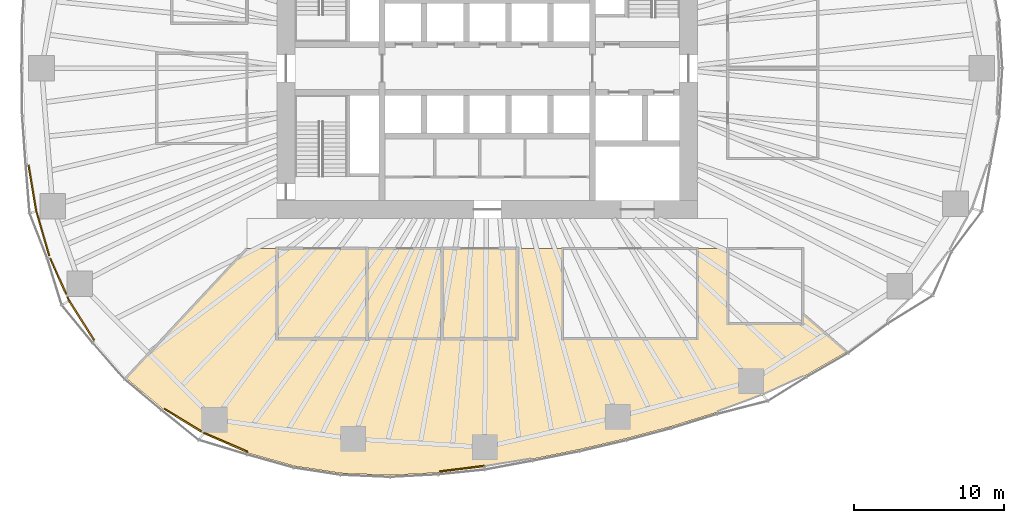
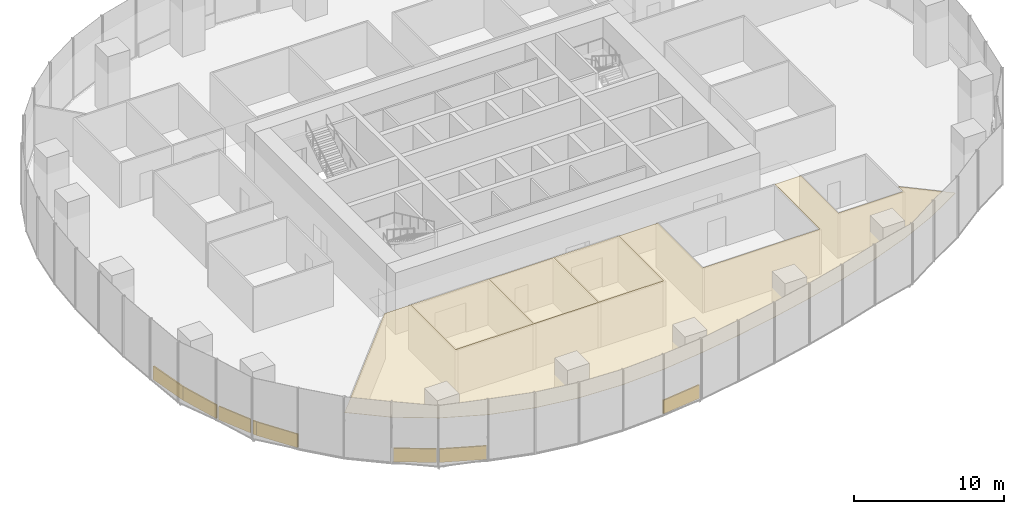
# One storey, part 17 of 19: 12 coverings.
"""IFC4 building model written with IfcOpenShell, lengths in metres."""

from ifc_helpers import new_model, si_unit, direction, frame, origin, origin_2d, place, context, subcontext, project, spatial, polyline, rectangle, outline, extrude, material, layer, layer_set, type_object, element, save


model = new_model("IFC4")

# Units and contexts
model_context = context("Model", 3, precision=1e-05, world=origin(), true_north=direction((0.0, 1.0)))
body_context = subcontext(model_context, "Body", "Model", "MODEL_VIEW")
ifc_project = project(units=[si_unit("LENGTHUNIT", "METRE"), si_unit("AREAUNIT", "SQUARE_METRE"), si_unit("VOLUMEUNIT", "CUBIC_METRE"), si_unit("PLANEANGLEUNIT", "RADIAN"), si_unit("MASSUNIT", "GRAM", prefix="KILO")], contexts=[model_context])

# Site, building, storey
site_placement = place(None, origin())
site = spatial("IfcSite", under=ifc_project, at=site_placement, CompositionType="ELEMENT")
building_placement = place(site_placement, origin())
building = spatial("IfcBuilding", under=site, at=building_placement, Name="Ghaith Harvest Tower", CompositionType="ELEMENT")
storey_placement = place(building_placement, frame((0.0, 0.0, 75.0)))
storey = spatial("IfcBuildingStorey", under=building, at=storey_placement, Name="L15", CompositionType="ELEMENT", Elevation=75.0)

# Coverings
ifc_material_1 = material(Name="Mineral fibre ceiling tile", Category="gypsum")
ifc_layer_1 = layer(ifc_material_1, 0.02490234375)
ifc_layer_set_1 = layer_set([ifc_layer_1], Name="CEILING C2")
covering_type_1 = type_object("IfcCoveringType", Name="CEILING C2", PredefinedType="CEILING", material=ifc_layer_set_1)
covering_1_placement = place(storey_placement, frame((0.0, 0.0, 3.60009765625)))
element("IfcCovering", 1, at=covering_1_placement, inside=storey, type_object=covering_type_1, Name="Ceiling L15-03", PredefinedType="CEILING", context=body_context, shape_type="SweptSolid", body=[
    extrude(outline(polyline([(-14.0, -18.0), (-8.0, -18.0), (-8.0, -12.0), (-14.0, -12.0), (-14.0, -18.0)])), origin(), (0.0, 0.0, 1.0), 0.02490234375),
])
covering_2_placement = place(storey_placement, frame((0.0, 0.0, 3.60009765625)))
element("IfcCovering", 2, at=covering_2_placement, inside=storey, type_object=covering_type_1, Name="Ceiling L15-04", PredefinedType="CEILING", context=body_context, shape_type="SweptSolid", body=[
    extrude(outline(polyline([(-8.0, -18.0), (-3.0, -18.0), (-3.0, -12.0), (-8.0, -12.0), (-8.0, -18.0)])), origin(), (0.0, 0.0, 1.0), 0.02490234375),
])
covering_3_placement = place(storey_placement, frame((0.0, 0.0, 3.60009765625)))
element("IfcCovering", 3, at=covering_3_placement, inside=storey, type_object=covering_type_1, Name="Ceiling L15-05", PredefinedType="CEILING", context=body_context, shape_type="SweptSolid", body=[
    extrude(outline(polyline([(-3.0, -18.0), (2.0, -18.0), (2.0, -12.0), (-3.0, -12.0), (-3.0, -18.0)])), origin(), (0.0, 0.0, 1.0), 0.02490234375),
])
covering_4_placement = place(storey_placement, frame((0.0, 0.0, 3.60009765625)))
element("IfcCovering", 4, at=covering_4_placement, inside=storey, type_object=covering_type_1, Name="Ceiling L15-S1", PredefinedType="CEILING", context=body_context, shape_type="SweptSolid", body=[
    extrude(outline(polyline([(-15.907958984375, -25.614501953125), (-18.8935546875, -24.32763671875), (-21.59912109375, -22.671142578125), (-24.04833984375, -20.618408203125), (-16.0, -12.0), (-14.0, -12.0), (-14.0, -18.0), (2.0, -18.0), (2.0, -12.0), (5.0, -12.0), (5.0, -18.0), (14.0, -18.0), (14.0, -12.0), (16.0, -12.0), (16.0, -17.0), (21.0, -17.0), (21.0, -16.336669921875), (23.92431640625, -18.873046875), (21.149169921875, -20.469482421875), (18.34521484375, -21.7548828125), (15.22119140625, -22.916259765625), (12.1796875, -23.857666015625), (9.21533203125, -24.65087890625), (6.10888671875, -25.378662109375), (2.99560546875, -26.004150390625), (-0.181396484375, -26.527099609375), (-3.24755859375, -26.91064453125), (-6.4375, -27.0849609375), (-9.733642578125, -26.949951171875), (-12.828125, -26.476806640625), (-15.907958984375, -25.614501953125)])), origin(), (0.0, 0.0, 1.0), 0.02490234375),
])
ifc_material_2 = material(Name="Insulated aluminium spandrel panel on steel framing", Category="steel")
ifc_layer_2 = layer(ifc_material_2, 0.10009765625)
ifc_layer_set_2 = layer_set([ifc_layer_2], Name="SLAB EDGE UPSTAND 1100x100")
covering_type_2 = type_object("IfcCoveringType", Name="SLAB EDGE UPSTAND 1100x100", PredefinedType="CLADDING", material=ifc_layer_set_2)
covering_5_placement = place(storey_placement, frame((-30.28271484375, -7.982177734375, 0.0), z_axis=(0.0, 0.0, 1.0), x_axis=(0.165246181786, -0.986252350773, 0.0)))
element("IfcCovering", 5, at=covering_5_placement, inside=storey, type_object=covering_type_2, Name="Slab edge upstand 3 bay 11 L15", PredefinedType="CLADDING", context=body_context, shape_type="SweptSolid", body=[
    extrude(rectangle(XDim=3.124267578125, YDim=0.10009765625, at=origin_2d()), origin(), (0.0, 0.0, 1.0), 1.10009765625),
])
covering_6_placement = place(storey_placement, frame((-29.593994140625, -10.997314453125, 0.0), z_axis=(0.0, 0.0, 1.0), x_axis=(0.280032411303, -0.95999054611, 0.0)))
element("IfcCovering", 6, at=covering_6_placement, inside=storey, type_object=covering_type_2, Name="Slab edge upstand 1 bay 12 L15", PredefinedType="CLADDING", context=body_context, shape_type="SweptSolid", body=[
    extrude(rectangle(XDim=3.084228515625, YDim=0.10009765625, at=origin_2d()), origin(), (0.0, 0.0, 1.0), 1.10009765625),
])
covering_7_placement = place(storey_placement, frame((-28.56689453125, -13.84619140625, 0.0), z_axis=(0.0, 0.0, 1.0), x_axis=(0.407003427802, -0.913426630747, 0.0)))
element("IfcCovering", 7, at=covering_7_placement, inside=storey, type_object=covering_type_2, Name="Slab edge upstand 2 bay 12 L15", PredefinedType="CLADDING", context=body_context, shape_type="SweptSolid", body=[
    extrude(rectangle(XDim=2.60009765625, YDim=0.10009765625, at=origin_2d()), origin(), (0.0, 0.0, 1.0), 1.10009765625),
])
covering_8_placement = place(storey_placement, frame((-27.89501953125, -15.35400390625, 0.0), z_axis=(0.0, 0.0, 1.0), x_axis=(0.407003427802, -0.913426630747, 0.0)))
element("IfcCovering", 8, at=covering_8_placement, inside=storey, type_object=covering_type_2, Name="Slab edge upstand 2 bay 12 L15", PredefinedType="CLADDING", context=body_context, shape_type="SweptSolid", body=[
    extrude(rectangle(XDim=0.29052734375, YDim=0.10009765625, at=origin_2d()), origin(), (0.0, 0.0, 1.0), 1.10009765625),
])
covering_9_placement = place(storey_placement, frame((-27.0078125, -16.787353515625, 0.0), z_axis=(0.0, 0.0, 1.0), x_axis=(0.536807372204, -0.843704832952, 0.0)))
element("IfcCovering", 9, at=covering_9_placement, inside=storey, type_object=covering_type_2, Name="Slab edge upstand 3 bay 12 L15", PredefinedType="CLADDING", context=body_context, shape_type="SweptSolid", body=[
    extrude(rectangle(XDim=3.098388671875, YDim=0.10009765625, at=origin_2d()), origin(), (0.0, 0.0, 1.0), 1.10009765625),
])
covering_10_placement = place(storey_placement, frame((-20.265869140625, -23.4287109375, 0.0), z_axis=(0.0, 0.0, 1.0), x_axis=(0.852846651269, -0.522161459148, 0.0)))
element("IfcCovering", 10, at=covering_10_placement, inside=storey, type_object=covering_type_2, Name="Slab edge upstand 3 bay 13 L15", PredefinedType="CLADDING", context=body_context, shape_type="SweptSolid", body=[
    extrude(rectangle(XDim=2.864990234375, YDim=0.10009765625, at=origin_2d()), origin(), (0.0, 0.0, 1.0), 1.10009765625),
])
covering_11_placement = place(storey_placement, frame((-17.421875, -24.907470703125, 0.0), z_axis=(0.0, 0.0, 1.0), x_axis=(0.918306928324, -0.395869151856, 0.0)))
element("IfcCovering", 11, at=covering_11_placement, inside=storey, type_object=covering_type_2, Name="Slab edge upstand 1 bay 14 L15", PredefinedType="CLADDING", context=body_context, shape_type="SweptSolid", body=[
    extrude(rectangle(XDim=3.140380859375, YDim=0.10009765625, at=origin_2d()), origin(), (0.0, 0.0, 1.0), 1.10009765625),
])
covering_12_placement = place(storey_placement, frame((-1.671142578125, -26.6630859375, 0.0), z_axis=(0.0, 0.0, 1.0), x_axis=(0.992264868881, 0.124138752952, 0.0)))
element("IfcCovering", 12, at=covering_12_placement, inside=storey, type_object=covering_type_2, Name="Slab edge upstand 3 bay 15 L15", PredefinedType="CLADDING", context=body_context, shape_type="SweptSolid", body=[
    extrude(rectangle(XDim=2.98974609375, YDim=0.10009765625, at=origin_2d()), origin(), (0.0, 0.0, 1.0), 1.10009765625),
])

save(model, "model.ifc")
